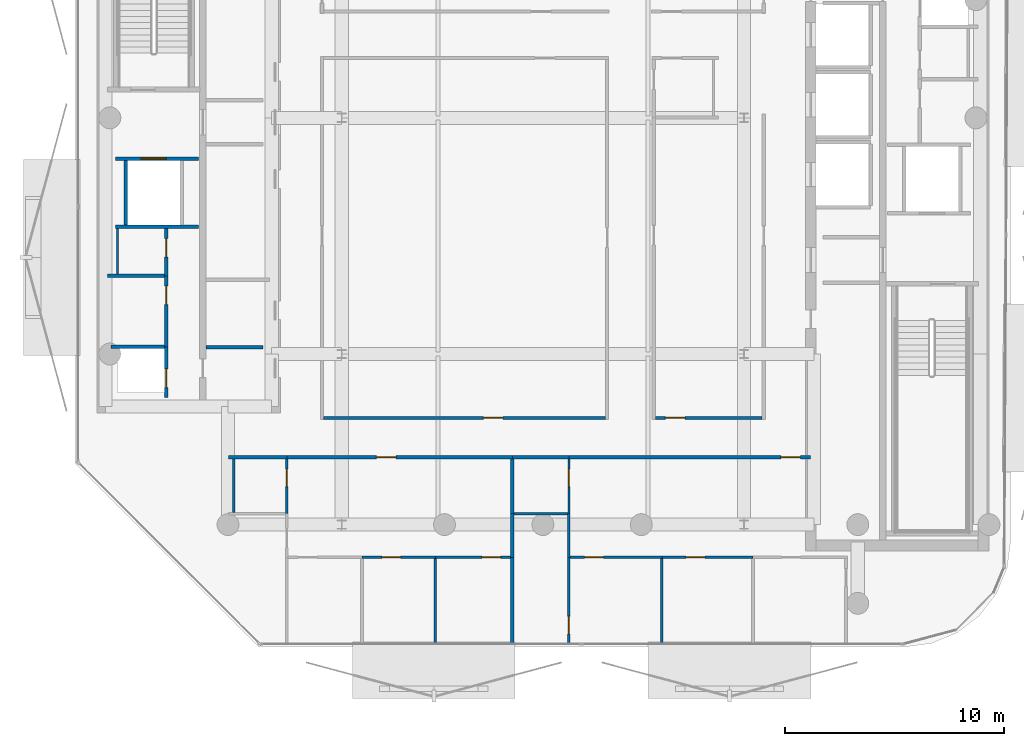
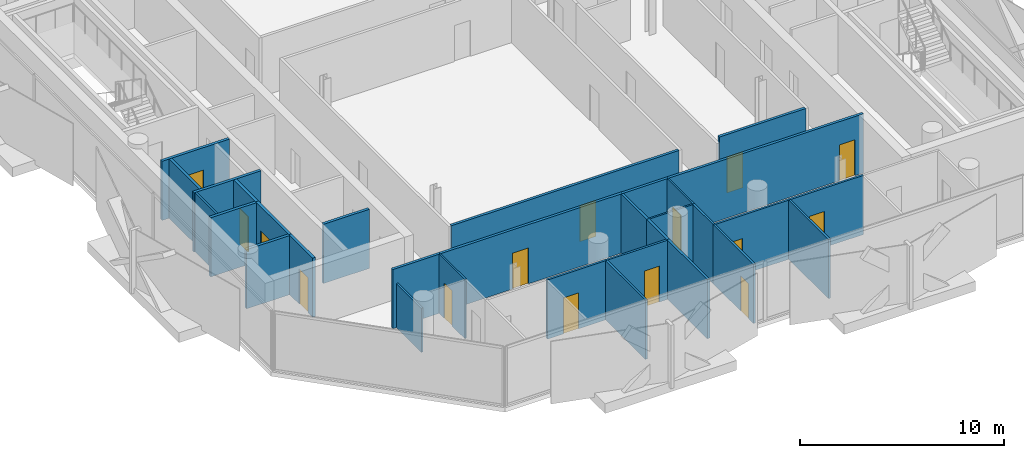
# One storey, part 4 of 17: 31 walls, 15 doors, 15 openings.
"""IFC4 building model written with IfcOpenShell, lengths in metres."""

from ifc_helpers import new_model, si_unit, direction, frame, frame_2d, origin, place, context, subcontext, project, spatial, rectangle, extrude, material, layer, layer_set, type_object, element, fill, save


model = new_model("IFC4")

# Units and contexts
model_context = context("Model", 3, precision=1e-05, world=origin(), true_north=direction((0.0, 1.0)))
body_context = subcontext(model_context, "Body", "Model", "MODEL_VIEW")
ifc_project = project(units=[si_unit("LENGTHUNIT", "METRE"), si_unit("AREAUNIT", "SQUARE_METRE"), si_unit("VOLUMEUNIT", "CUBIC_METRE"), si_unit("PLANEANGLEUNIT", "RADIAN"), si_unit("MASSUNIT", "GRAM", prefix="KILO")], contexts=[model_context])

# Site, building, storey
site_placement = place(None, origin())
site = spatial("IfcSite", under=ifc_project, at=site_placement, CompositionType="ELEMENT")
building_placement = place(site_placement, origin())
building = spatial("IfcBuilding", under=site, at=building_placement, Name="Khairoan Windgate Tower", CompositionType="ELEMENT")
storey_placement = place(building_placement, frame((0.0, 0.0, 304.199951171875)))
storey = spatial("IfcBuildingStorey", under=building, at=storey_placement, Name="L73", CompositionType="ELEMENT", Elevation=304.199951171875)

# Wall, opening, door
ifc_material_1 = material(Name="Moisture-Resistant Gypsum Partition", Category="gypsum")
ifc_layer_1 = layer(ifc_material_1, 0.10009765625, Name="Moisture-Resistant Gypsum Partition")
ifc_layer_set_1 = layer_set([ifc_layer_1], Name="Moisture-Resistant Gypsum Partition")
wall_type_1 = type_object("IfcWallType", Name="Bathroom Wet-Area Partition Wall", PredefinedType="PARTITIONING", material=ifc_layer_set_1)
wall_1_placement = place(storey_placement, frame((-11.7099609375, -18.10009765625, 0.0), z_axis=(0.0, 0.0, 1.0), x_axis=(0.0, 1.0, 0.0)))
wall_1 = element("IfcWall", 1, at=wall_1_placement, inside=storey, type_object=wall_type_1, Name="L73 Interior Partition 061", PredefinedType="PARTITIONING", context=body_context, shape_type="SweptSolid", body=[
    extrude(rectangle(XDim=2.5, YDim=0.10009765625, at=frame_2d((1.25, 0.0))), origin(), (0.0, 0.0, 1.0), 3.5400390625),
])
opening_1_placement = place(wall_1_placement, frame((1.239990234375, 0.0, 0.0)))
opening_1 = element("IfcOpeningElement", 2, at=opening_1_placement, cuts=wall_1, Name="Opening ID-BTH", PredefinedType="OPENING", context=body_context, shape_type="SweptSolid", body=[
    extrude(rectangle(XDim=0.800048828125, YDim=2.10009765625, at=frame_2d((0.39990234375, 1.050048828125))), frame((0.0, 0.06005859375, 0.0), z_axis=(0.0, -1.0, 0.0), x_axis=(1.0, 0.0, 0.0)), (0.0, 0.0, 1.0), 0.1201171875),
])
ifc_material_2 = material(Name="Teak Veneer Timber Leaf", Category="wood")
door_type_1 = type_object("IfcDoorType", Name="Internal Bathroom Door ID-BTH 800x2100", OperationType="NOTDEFINED", PredefinedType="DOOR", material=ifc_material_2)
door_1_placement = place(opening_1_placement, origin())
door_1 = element("IfcDoor", 3, at=door_1_placement, inside=storey, type_object=door_type_1, Name="L73 L73-46-L73-48 Door", OperationType="SINGLE_SWING_LEFT", OverallHeight=2.10009765625, OverallWidth=0.800048828125, PredefinedType="DOOR", context=body_context, shape_type="SweptSolid", body=[
    extrude(rectangle(XDim=0.800048828125, YDim=2.10009765625, at=frame_2d((0.39990234375, 1.050048828125))), frame((0.0, 0.02490234375, 0.0), z_axis=(0.0, -1.0, 0.0), x_axis=(1.0, 0.0, 0.0)), (0.0, 0.0, 1.0), 0.050048828125),
])
fill(opening_1, door_1)

# Wall
wall_2_placement = place(storey_placement, frame((-1.330078125, -18.10009765625, 0.0), z_axis=(0.0, 0.0, 1.0), x_axis=(1.0, 0.0, 0.0)))
element("IfcWall", 4, at=wall_2_placement, inside=storey, type_object=wall_type_1, Name="L73 Interior Partition 072", PredefinedType="PARTITIONING", context=body_context, shape_type="SweptSolid", body=[
    extrude(rectangle(XDim=2.469970703125, YDim=0.10009765625, at=frame_2d((1.23486328125, 0.0))), origin(), (0.0, 0.0, 1.0), 3.5400390625),
])

# Wall, opening, door
wall_3_placement = place(storey_placement, frame((1.18994140625, -18.10009765625, 0.0), z_axis=(0.0, 0.0, 1.0), x_axis=(0.0, 1.0, 0.0)))
wall_3 = element("IfcWall", 5, at=wall_3_placement, inside=storey, type_object=wall_type_1, Name="L73 Interior Partition 073", PredefinedType="PARTITIONING", context=body_context, shape_type="SweptSolid", body=[
    extrude(rectangle(XDim=2.5, YDim=0.10009765625, at=frame_2d((1.25, 0.0))), origin(), (0.0, 0.0, 1.0), 3.5400390625),
])
opening_2_placement = place(wall_3_placement, frame((1.239990234375, 0.0, 0.0)))
opening_2 = element("IfcOpeningElement", 6, at=opening_2_placement, cuts=wall_3, Name="Opening ID-BTH", PredefinedType="OPENING", context=body_context, shape_type="SweptSolid", body=[
    extrude(rectangle(XDim=0.800048828125, YDim=2.10009765625, at=frame_2d((0.39990234375, 1.050048828125))), frame((0.0, 0.06005859375, 0.0), z_axis=(0.0, -1.0, 0.0), x_axis=(1.0, 0.0, 0.0)), (0.0, 0.0, 1.0), 0.1201171875),
])
door_2_placement = place(opening_2_placement, origin())
door_2 = element("IfcDoor", 7, at=door_2_placement, inside=storey, type_object=door_type_1, Name="L73 L73-52-L73-54 Door", OperationType="SINGLE_SWING_RIGHT", OverallHeight=2.10009765625, OverallWidth=0.800048828125, PredefinedType="DOOR", context=body_context, shape_type="SweptSolid", body=[
    extrude(rectangle(XDim=0.800048828125, YDim=2.10009765625, at=frame_2d((0.39990234375, 1.050048828125))), frame((0.0, 0.02490234375, 0.0), z_axis=(0.0, -1.0, 0.0), x_axis=(1.0, 0.0, 0.0)), (0.0, 0.0, 1.0), 0.050048828125),
])
fill(opening_2, door_2)

# Walls
wall_4_placement = place(storey_placement, frame((-19.449951171875, -7.14990234375, 0.0), z_axis=(0.0, 0.0, 1.0), x_axis=(0.0, 1.0, 0.0)))
element("IfcWall", 8, at=wall_4_placement, inside=storey, type_object=wall_type_1, Name="L73 Wet Room Side Wall 083", PredefinedType="PARTITIONING", context=body_context, shape_type="SweptSolid", body=[
    extrude(rectangle(XDim=2.08984375, YDim=0.10009765625, at=frame_2d((1.044921875, 0.0))), origin(), (0.0, 0.0, 1.0), 3.5400390625),
])
wall_5_placement = place(storey_placement, frame((-14.139892578125, -18.050048828125, 0.0), z_axis=(0.0, 0.0, 1.0), x_axis=(0.0, 1.0, 0.0)))
element("IfcWall", 9, at=wall_5_placement, inside=storey, type_object=wall_type_1, Name="L73 Wet Room Side Wall 086", PredefinedType="PARTITIONING", context=body_context, shape_type="SweptSolid", body=[
    extrude(rectangle(XDim=2.449951171875, YDim=0.10009765625, at=frame_2d((1.22509765625, 0.0))), origin(), (0.0, 0.0, 1.0), 2.64013671875),
])

# Wall, opening, door
ifc_material_3 = material(Name="Concrete C40/50", Category="concrete")
ifc_layer_2 = layer(ifc_material_3, 0.159912109375, Name="Concrete C40/50")
ifc_layer_set_2 = layer_set([ifc_layer_2], Name="Concrete C40/50")
wall_type_2 = type_object("IfcWallType", Name="Core and Hoistway Enclosure Wall", PredefinedType="STANDARD", material=ifc_layer_set_2)
wall_6_placement = place(storey_placement, frame((-19.550048828125, -1.860107421875, 0.0), z_axis=(0.0, 0.0, 1.0), x_axis=(1.0, 0.0, 0.0)))
wall_6 = element("IfcWall", 10, at=wall_6_placement, inside=storey, type_object=wall_type_2, Name="L73 Core Shaft Wall SW-FL2-L73", PredefinedType="STANDARD", context=body_context, shape_type="SweptSolid", body=[
    extrude(rectangle(XDim=3.800048828125, YDim=0.159912109375, at=frame_2d((1.89990234375, 0.0))), origin(), (0.0, 0.0, 1.0), 3.5400390625),
])
opening_3_placement = place(wall_6_placement, frame((1.179931640625, 0.0, 0.0)))
opening_3 = element("IfcOpeningElement", 11, at=opening_3_placement, cuts=wall_6, Name="Opening LD-FL", PredefinedType="OPENING", context=body_context, shape_type="SweptSolid", body=[
    extrude(rectangle(XDim=1.14990234375, YDim=2.199951171875, at=frame_2d((0.574951171875, 1.10009765625))), frame((0.0, 0.08984375, 0.0), z_axis=(0.0, -1.0, 0.0), x_axis=(1.0, 0.0, 0.0)), (0.0, 0.0, 1.0), 0.179931640625),
])
ifc_material_4 = material(Name="Steel S355", Category="steel")
door_type_2 = type_object("IfcDoorType", Name="Firefighting Lift Sliding Landing Door LD-FL 1150x2200", OperationType="DOUBLE_DOOR_SLIDING", PredefinedType="DOOR", material=ifc_material_4)
door_3_placement = place(opening_3_placement, origin())
door_3 = element("IfcDoor", 12, at=door_3_placement, inside=storey, type_object=door_type_2, Name="L73 Firefighting Lift FL2 Landing Door", OperationType="DOUBLE_DOOR_SLIDING", OverallHeight=2.199951171875, OverallWidth=1.14990234375, PredefinedType="DOOR", context=body_context, shape_type="SweptSolid", body=[
    extrude(rectangle(XDim=1.14990234375, YDim=2.199951171875, at=frame_2d((0.574951171875, 1.10009765625))), frame((0.0, 0.02490234375, 0.0), z_axis=(0.0, -1.0, 0.0), x_axis=(1.0, 0.0, 0.0)), (0.0, 0.0, 1.0), 0.050048828125),
])
fill(opening_3, door_3)

# Walls
wall_7_placement = place(storey_placement, frame((-19.550048828125, -4.97998046875, 0.0), z_axis=(0.0, 0.0, 1.0), x_axis=(1.0, 0.0, 0.0)))
element("IfcWall", 13, at=wall_7_placement, inside=storey, type_object=wall_type_2, Name="L73 Core Shaft Wall SW-FL2B-L73", PredefinedType="STANDARD", context=body_context, shape_type="SweptSolid", body=[
    extrude(rectangle(XDim=3.800048828125, YDim=0.159912109375, at=frame_2d((1.89990234375, 0.0))), origin(), (0.0, 0.0, 1.0), 3.5400390625),
])
wall_8_placement = place(storey_placement, frame((-19.080078125, -4.89990234375, 0.0), z_axis=(0.0, 0.0, 1.0), x_axis=(0.0, 1.0, 0.0)))
element("IfcWall", 14, at=wall_8_placement, inside=storey, type_object=wall_type_2, Name="L73 Core Shaft Wall SW-FL2W-L73", PredefinedType="STANDARD", context=body_context, shape_type="SweptSolid", body=[
    extrude(rectangle(XDim=2.9599609375, YDim=0.159912109375, at=frame_2d((1.47998046875, 0.0))), origin(), (0.0, 0.0, 1.0), 3.5400390625),
])
wall_9_placement = place(storey_placement, frame((-15.39990234375, -10.47998046875, 0.0), z_axis=(0.0, 0.0, 1.0), x_axis=(1.0, 0.0, 0.0)))
element("IfcWall", 15, at=wall_9_placement, inside=storey, type_object=wall_type_2, Name="L73 Core Shaft Wall SW-WSV-L73", PredefinedType="STANDARD", context=body_context, shape_type="SweptSolid", body=[
    extrude(rectangle(XDim=2.599853515625, YDim=0.159912109375, at=frame_2d((1.2998046875, 0.0))), origin(), (0.0, 0.0, 1.0), 3.5400390625),
])
ifc_material_5 = material(Name="Acoustic Fire-Rated Gypsum Partition", Category="gypsum")
ifc_layer_3 = layer(ifc_material_5, 0.139892578125, Name="Acoustic Fire-Rated Gypsum Partition")
ifc_layer_set_3 = layer_set([ifc_layer_3], Name="Acoustic Fire-Rated Gypsum Partition")
wall_type_3 = type_object("IfcWallType", Name="Inter-Tenancy Compartment Wall", PredefinedType="PARTITIONING", material=ifc_layer_set_3)
wall_10_placement = place(storey_placement, frame((-1.39990234375, -18.10009765625, 0.0), z_axis=(0.0, 0.0, 1.0), x_axis=(0.0, 1.0, 0.0)))
element("IfcWall", 16, at=wall_10_placement, inside=storey, type_object=wall_type_3, Name="L73 Interior Partition 067", PredefinedType="PARTITIONING", context=body_context, shape_type="SweptSolid", body=[
    extrude(rectangle(XDim=2.5, YDim=0.139892578125, at=frame_2d((1.25, 0.0))), origin(), (0.0, 0.0, 1.0), 3.5400390625),
])
wall_11_placement = place(storey_placement, frame((-1.39990234375, -20.10009765625, 0.0), z_axis=(0.0, 0.0, 1.0), x_axis=(0.0, 1.0, 0.0)))
element("IfcWall", 17, at=wall_11_placement, inside=storey, type_object=wall_type_3, Name="L73 Interior Partition 068", PredefinedType="PARTITIONING", context=body_context, shape_type="SweptSolid", body=[
    extrude(rectangle(XDim=2.0, YDim=0.139892578125, at=frame_2d((1.0, 0.0))), origin(), (0.0, 0.0, 1.0), 3.5400390625),
])
wall_12_placement = place(storey_placement, frame((-1.39990234375, -24.054931640625, 0.0), z_axis=(0.0, 0.0, 1.0), x_axis=(0.0, 1.0, 0.0)))
element("IfcWall", 18, at=wall_12_placement, inside=storey, type_object=wall_type_3, Name="L73 Interior Partition 071", PredefinedType="PARTITIONING", context=body_context, shape_type="SweptSolid", body=[
    extrude(rectangle(XDim=3.954833984375, YDim=0.139892578125, at=frame_2d((1.9775390625, 0.0))), origin(), (0.0, 0.0, 1.0), 3.5400390625),
])

# Wall, opening, door
ifc_material_6 = material(Name="Gypsum Stud Partition", Category="gypsum")
ifc_layer_4 = layer(ifc_material_6, 0.1201171875, Name="Gypsum Stud Partition")
ifc_layer_set_4 = layer_set([ifc_layer_4], Name="Gypsum Stud Partition")
wall_type_4 = type_object("IfcWallType", Name="Internal Room Partition Wall", PredefinedType="PARTITIONING", material=ifc_layer_set_4)
wall_13_placement = place(storey_placement, frame((-8.27294921875, -20.10009765625, 0.0), z_axis=(0.0, 0.0, 1.0), x_axis=(1.0, 0.0, 0.0)))
wall_13 = element("IfcWall", 19, at=wall_13_placement, inside=storey, type_object=wall_type_4, Name="L73 Interior Partition 065", PredefinedType="PARTITIONING", context=body_context, shape_type="SweptSolid", body=[
    extrude(rectangle(XDim=3.35595703125, YDim=0.1201171875, at=frame_2d((1.677978515625, 0.0))), origin(), (0.0, 0.0, 1.0), 3.5400390625),
])
opening_4_placement = place(wall_13_placement, frame((0.910400390625, 0.0, 0.0)))
opening_4 = element("IfcOpeningElement", 20, at=opening_4_placement, cuts=wall_13, Name="Opening ID-RM", PredefinedType="OPENING", context=body_context, shape_type="SweptSolid", body=[
    extrude(rectangle(XDim=0.860107421875, YDim=2.14990234375, at=frame_2d((0.43017578125, 1.074951171875))), frame((0.0, 0.070068359375, 0.0), z_axis=(0.0, -1.0, 0.0), x_axis=(1.0, 0.0, 0.0)), (0.0, 0.0, 1.0), 0.14013671875),
])
ifc_material_7 = material(Name="Teak Veneer Timber Leaf", Category="wood")
door_type_3 = type_object("IfcDoorType", Name="Internal Bedroom and Office Door ID-RM 860x2150", OperationType="NOTDEFINED", PredefinedType="DOOR", material=ifc_material_7)
door_4_placement = place(opening_4_placement, origin())
door_4 = element("IfcDoor", 21, at=door_4_placement, inside=storey, type_object=door_type_3, Name="L73 L73-48-L73-50 Door", OperationType="SINGLE_SWING_RIGHT", OverallHeight=2.14990234375, OverallWidth=0.860107421875, PredefinedType="DOOR", context=body_context, shape_type="SweptSolid", body=[
    extrude(rectangle(XDim=0.860107421875, YDim=2.14990234375, at=frame_2d((0.43017578125, 1.074951171875))), frame((0.0, 0.02490234375, 0.0), z_axis=(0.0, -1.0, 0.0), x_axis=(1.0, 0.0, 0.0)), (0.0, 0.0, 1.0), 0.050048828125),
])
fill(opening_4, door_4)

wall_14_placement = place(storey_placement, frame((-4.9169921875, -20.10009765625, 0.0), z_axis=(0.0, 0.0, 1.0), x_axis=(1.0, 0.0, 0.0)))
wall_14 = element("IfcWall", 22, at=wall_14_placement, inside=storey, type_object=wall_type_4, Name="L73 Interior Partition 066", PredefinedType="PARTITIONING", context=body_context, shape_type="SweptSolid", body=[
    extrude(rectangle(XDim=3.447021484375, YDim=0.1201171875, at=frame_2d((1.7236328125, 0.0))), origin(), (0.0, 0.0, 1.0), 3.5400390625),
])
opening_5_placement = place(wall_14_placement, frame((2.126953125, 0.0, 0.0)))
opening_5 = element("IfcOpeningElement", 23, at=opening_5_placement, cuts=wall_14, Name="Opening ID-RM", PredefinedType="OPENING", context=body_context, shape_type="SweptSolid", body=[
    extrude(rectangle(XDim=0.860107421875, YDim=2.14990234375, at=frame_2d((0.43017578125, 1.074951171875))), frame((0.0, 0.070068359375, 0.0), z_axis=(0.0, -1.0, 0.0), x_axis=(1.0, 0.0, 0.0)), (0.0, 0.0, 1.0), 0.14013671875),
])
door_5_placement = place(opening_5_placement, origin())
door_5 = element("IfcDoor", 24, at=door_5_placement, inside=storey, type_object=door_type_3, Name="L73 L73-48-L73-51 Door", OperationType="SINGLE_SWING_LEFT", OverallHeight=2.14990234375, OverallWidth=0.860107421875, PredefinedType="DOOR", context=body_context, shape_type="SweptSolid", body=[
    extrude(rectangle(XDim=0.860107421875, YDim=2.14990234375, at=frame_2d((0.43017578125, 1.074951171875))), frame((0.0, 0.02490234375, 0.0), z_axis=(0.0, -1.0, 0.0), x_axis=(1.0, 0.0, 0.0)), (0.0, 0.0, 1.0), 0.050048828125),
])
fill(opening_5, door_5)

# Walls
wall_15_placement = place(storey_placement, frame((-4.9169921875, -24.054931640625, 0.0), z_axis=(0.0, 0.0, 1.0), x_axis=(0.0, 1.0, 0.0)))
element("IfcWall", 25, at=wall_15_placement, inside=storey, type_object=wall_type_4, Name="L73 Interior Partition 070", PredefinedType="PARTITIONING", context=body_context, shape_type="SweptSolid", body=[
    extrude(rectangle(XDim=3.89501953125, YDim=0.1201171875, at=frame_2d((1.947509765625, 0.0))), origin(), (0.0, 0.0, 1.0), 3.5400390625),
])
wall_16_placement = place(storey_placement, frame((1.18994140625, -20.10009765625, 0.0), z_axis=(0.0, 0.0, 1.0), x_axis=(0.0, 1.0, 0.0)))
element("IfcWall", 26, at=wall_16_placement, inside=storey, type_object=wall_type_4, Name="L73 Interior Partition 074", PredefinedType="PARTITIONING", context=body_context, shape_type="SweptSolid", body=[
    extrude(rectangle(XDim=2.0, YDim=0.1201171875, at=frame_2d((1.0, 0.0))), origin(), (0.0, 0.0, 1.0), 3.5400390625),
])

# Wall, opening, door
wall_17_placement = place(storey_placement, frame((1.18994140625, -24.054931640625, 0.0), z_axis=(0.0, 0.0, 1.0), x_axis=(0.0, 1.0, 0.0)))
wall_17 = element("IfcWall", 27, at=wall_17_placement, inside=storey, type_object=wall_type_4, Name="L73 Interior Partition 075", PredefinedType="PARTITIONING", context=body_context, shape_type="SweptSolid", body=[
    extrude(rectangle(XDim=3.954833984375, YDim=0.1201171875, at=frame_2d((1.9775390625, 0.0))), origin(), (0.0, 0.0, 1.0), 3.5400390625),
])
opening_6_placement = place(wall_17_placement, frame((0.4599609375, 0.0, 0.0)))
opening_6 = element("IfcOpeningElement", 28, at=opening_6_placement, cuts=wall_17, Name="Opening ID-BTH", PredefinedType="OPENING", context=body_context, shape_type="SweptSolid", body=[
    extrude(rectangle(XDim=0.800048828125, YDim=2.10009765625, at=frame_2d((0.39990234375, 1.050048828125))), frame((0.0, 0.070068359375, 0.0), z_axis=(0.0, -1.0, 0.0), x_axis=(1.0, 0.0, 0.0)), (0.0, 0.0, 1.0), 0.14013671875),
])
door_6_placement = place(opening_6_placement, origin())
door_6 = element("IfcDoor", 29, at=door_6_placement, inside=storey, type_object=door_type_1, Name="L73 L73-53-L73-56 Door", OperationType="SINGLE_SWING_RIGHT", OverallHeight=2.10009765625, OverallWidth=0.800048828125, PredefinedType="DOOR", context=body_context, shape_type="SweptSolid", body=[
    extrude(rectangle(XDim=0.800048828125, YDim=2.10009765625, at=frame_2d((0.39990234375, 1.050048828125))), frame((0.0, 0.02490234375, 0.0), z_axis=(0.0, -1.0, 0.0), x_axis=(1.0, 0.0, 0.0)), (0.0, 0.0, 1.0), 0.050048828125),
])
fill(opening_6, door_6)

wall_18_placement = place(storey_placement, frame((1.25, -20.10009765625, 0.0), z_axis=(0.0, 0.0, 1.0), x_axis=(1.0, 0.0, 0.0)))
wall_18 = element("IfcWall", 30, at=wall_18_placement, inside=storey, type_object=wall_type_4, Name="L73 Interior Partition 076", PredefinedType="PARTITIONING", context=body_context, shape_type="SweptSolid", body=[
    extrude(rectangle(XDim=4.18994140625, YDim=0.1201171875, at=frame_2d((2.094970703125, 0.0))), origin(), (0.0, 0.0, 1.0), 3.5400390625),
])
opening_7_placement = place(wall_18_placement, frame((0.660888671875, 0.0, 0.0)))
opening_7 = element("IfcOpeningElement", 31, at=opening_7_placement, cuts=wall_18, Name="Opening ID-RM", PredefinedType="OPENING", context=body_context, shape_type="SweptSolid", body=[
    extrude(rectangle(XDim=0.860107421875, YDim=2.14990234375, at=frame_2d((0.43017578125, 1.074951171875))), frame((0.0, 0.070068359375, 0.0), z_axis=(0.0, -1.0, 0.0), x_axis=(1.0, 0.0, 0.0)), (0.0, 0.0, 1.0), 0.14013671875),
])
door_7_placement = place(opening_7_placement, origin())
door_7 = element("IfcDoor", 32, at=door_7_placement, inside=storey, type_object=door_type_3, Name="L73 L73-54-L73-56 Door", OperationType="SINGLE_SWING_RIGHT", OverallHeight=2.14990234375, OverallWidth=0.860107421875, PredefinedType="DOOR", context=body_context, shape_type="SweptSolid", body=[
    extrude(rectangle(XDim=0.860107421875, YDim=2.14990234375, at=frame_2d((0.43017578125, 1.074951171875))), frame((0.0, 0.02490234375, 0.0), z_axis=(0.0, -1.0, 0.0), x_axis=(1.0, 0.0, 0.0)), (0.0, 0.0, 1.0), 0.050048828125),
])
fill(opening_7, door_7)

wall_19_placement = place(storey_placement, frame((5.43994140625, -20.10009765625, 0.0), z_axis=(0.0, 0.0, 1.0), x_axis=(1.0, 0.0, 0.0)))
wall_19 = element("IfcWall", 33, at=wall_19_placement, inside=storey, type_object=wall_type_4, Name="L73 Interior Partition 077", PredefinedType="PARTITIONING", context=body_context, shape_type="SweptSolid", body=[
    extrude(rectangle(XDim=4.170166015625, YDim=0.1201171875, at=frame_2d((2.0849609375, 0.0))), origin(), (0.0, 0.0, 1.0), 3.5400390625),
])
opening_8_placement = place(wall_19_placement, frame((1.11181640625, 0.0, 0.0)))
opening_8 = element("IfcOpeningElement", 34, at=opening_8_placement, cuts=wall_19, Name="Opening ID-RM", PredefinedType="OPENING", context=body_context, shape_type="SweptSolid", body=[
    extrude(rectangle(XDim=0.860107421875, YDim=2.14990234375, at=frame_2d((0.43017578125, 1.074951171875))), frame((0.0, 0.070068359375, 0.0), z_axis=(0.0, -1.0, 0.0), x_axis=(1.0, 0.0, 0.0)), (0.0, 0.0, 1.0), 0.14013671875),
])
door_8_placement = place(opening_8_placement, origin())
door_8 = element("IfcDoor", 35, at=door_8_placement, inside=storey, type_object=door_type_3, Name="L73 L73-54-L73-57 Door", OperationType="SINGLE_SWING_LEFT", OverallHeight=2.14990234375, OverallWidth=0.860107421875, PredefinedType="DOOR", context=body_context, shape_type="SweptSolid", body=[
    extrude(rectangle(XDim=0.860107421875, YDim=2.14990234375, at=frame_2d((0.43017578125, 1.074951171875))), frame((0.0, 0.02490234375, 0.0), z_axis=(0.0, -1.0, 0.0), x_axis=(1.0, 0.0, 0.0)), (0.0, 0.0, 1.0), 0.050048828125),
])
fill(opening_8, door_8)

# Wall
wall_20_placement = place(storey_placement, frame((5.43994140625, -24.054931640625, 0.0), z_axis=(0.0, 0.0, 1.0), x_axis=(0.0, 1.0, 0.0)))
element("IfcWall", 36, at=wall_20_placement, inside=storey, type_object=wall_type_4, Name="L73 Interior Partition 080", PredefinedType="PARTITIONING", context=body_context, shape_type="SweptSolid", body=[
    extrude(rectangle(XDim=3.89501953125, YDim=0.1201171875, at=frame_2d((1.947509765625, 0.0))), origin(), (0.0, 0.0, 1.0), 3.5400390625),
])

# Wall, opening, door
ifc_material_8 = material(Name="Concrete C40/50", Category="concrete")
ifc_layer_5 = layer(ifc_material_8, 0.159912109375, Name="Concrete C40/50")
ifc_layer_set_5 = layer_set([ifc_layer_5], Name="Concrete C40/50")
wall_type_5 = type_object("IfcWallType", Name="Plant and Refuge Compartment Wall", PredefinedType="PARTITIONING", material=ifc_layer_set_5)
wall_21_placement = place(storey_placement, frame((-17.22998046875, -12.7900390625, 0.0), z_axis=(0.0, 0.0, 1.0), x_axis=(0.0, 1.0, 0.0)))
wall_21 = element("IfcWall", 37, at=wall_21_placement, inside=storey, type_object=wall_type_5, Name="L73 Interior Partition 001", PredefinedType="PARTITIONING", context=body_context, shape_type="SweptSolid", body=[
    extrude(rectangle(XDim=2.320068359375, YDim=0.159912109375, at=frame_2d((1.16015625, 0.0))), origin(), (0.0, 0.0, 1.0), 3.5400390625),
])
opening_9_placement = place(wall_21_placement, frame((0.4599609375, 0.0, 0.0)))
opening_9 = element("IfcOpeningElement", 38, at=opening_9_placement, cuts=wall_21, Name="Opening FD-SRV", PredefinedType="OPENING", context=body_context, shape_type="SweptSolid", body=[
    extrude(rectangle(XDim=0.85009765625, YDim=2.10009765625, at=frame_2d((0.425048828125, 1.050048828125))), frame((0.0, 0.08984375, 0.0), z_axis=(0.0, -1.0, 0.0), x_axis=(1.0, 0.0, 0.0)), (0.0, 0.0, 1.0), 0.179931640625),
])
ifc_material_9 = material(Name="Steel S355", Category="steel")
door_type_4 = type_object("IfcDoorType", Name="Core Service and Riser Fire Door FD-SRV 850x2100", OperationType="NOTDEFINED", PredefinedType="DOOR", material=ifc_material_9)
door_9_placement = place(opening_9_placement, origin())
door_9 = element("IfcDoor", 39, at=door_9_placement, inside=storey, type_object=door_type_4, Name="L73 L73-04-L73-05 Door", OperationType="SINGLE_SWING_RIGHT", OverallHeight=2.10009765625, OverallWidth=0.85009765625, PredefinedType="DOOR", context=body_context, shape_type="SweptSolid", body=[
    extrude(rectangle(XDim=0.85009765625, YDim=2.10009765625, at=frame_2d((0.425048828125, 1.050048828125))), frame((0.0, 0.02490234375, 0.0), z_axis=(0.0, -1.0, 0.0), x_axis=(1.0, 0.0, 0.0)), (0.0, 0.0, 1.0), 0.050048828125),
])
fill(opening_9, door_9)

wall_22_placement = place(storey_placement, frame((-17.22998046875, -7.22998046875, 0.0), z_axis=(0.0, 0.0, 1.0), x_axis=(0.0, 1.0, 0.0)))
wall_22 = element("IfcWall", 40, at=wall_22_placement, inside=storey, type_object=wall_type_5, Name="L73 Interior Partition 002", PredefinedType="PARTITIONING", context=body_context, shape_type="SweptSolid", body=[
    extrude(rectangle(XDim=2.169921875, YDim=0.159912109375, at=frame_2d((1.0849609375, 0.0))), origin(), (0.0, 0.0, 1.0), 3.5400390625),
])
opening_10_placement = place(wall_22_placement, frame((0.860107421875, 0.0, 0.0)))
opening_10 = element("IfcOpeningElement", 41, at=opening_10_placement, cuts=wall_22, Name="Opening FD-SRV", PredefinedType="OPENING", context=body_context, shape_type="SweptSolid", body=[
    extrude(rectangle(XDim=0.85009765625, YDim=2.10009765625, at=frame_2d((0.425048828125, 1.050048828125))), frame((0.0, 0.08984375, 0.0), z_axis=(0.0, -1.0, 0.0), x_axis=(1.0, 0.0, 0.0)), (0.0, 0.0, 1.0), 0.179931640625),
])
door_10_placement = place(opening_10_placement, origin())
door_10 = element("IfcDoor", 42, at=door_10_placement, inside=storey, type_object=door_type_4, Name="L73 L73-04-L73-06 Door", OperationType="SINGLE_SWING_LEFT", OverallHeight=2.10009765625, OverallWidth=0.85009765625, PredefinedType="DOOR", context=body_context, shape_type="SweptSolid", body=[
    extrude(rectangle(XDim=0.85009765625, YDim=2.10009765625, at=frame_2d((0.425048828125, 1.050048828125))), frame((0.0, 0.02490234375, 0.0), z_axis=(0.0, -1.0, 0.0), x_axis=(1.0, 0.0, 0.0)), (0.0, 0.0, 1.0), 0.050048828125),
])
fill(opening_10, door_10)

wall_23_placement = place(storey_placement, frame((-17.22998046875, -10.469970703125, 0.0), z_axis=(0.0, 0.0, 1.0), x_axis=(0.0, 1.0, 0.0)))
wall_23 = element("IfcWall", 43, at=wall_23_placement, inside=storey, type_object=wall_type_5, Name="L73 Interior Partition 003", PredefinedType="PARTITIONING", context=body_context, shape_type="SweptSolid", body=[
    extrude(rectangle(XDim=3.239990234375, YDim=0.159912109375, at=frame_2d((1.6201171875, 0.0))), origin(), (0.0, 0.0, 1.0), 3.5400390625),
])
opening_11_placement = place(wall_23_placement, frame((1.929931640625, 0.0, 0.0)))
opening_11 = element("IfcOpeningElement", 44, at=opening_11_placement, cuts=wall_23, Name="Opening FD-SRV", PredefinedType="OPENING", context=body_context, shape_type="SweptSolid", body=[
    extrude(rectangle(XDim=0.85009765625, YDim=2.10009765625, at=frame_2d((0.425048828125, 1.050048828125))), frame((0.0, 0.08984375, 0.0), z_axis=(0.0, -1.0, 0.0), x_axis=(1.0, 0.0, 0.0)), (0.0, 0.0, 1.0), 0.179931640625),
])
door_11_placement = place(opening_11_placement, origin())
door_11 = element("IfcDoor", 45, at=door_11_placement, inside=storey, type_object=door_type_4, Name="L73 L73-04-L73-07 Door", OperationType="SINGLE_SWING_RIGHT", OverallHeight=2.10009765625, OverallWidth=0.85009765625, PredefinedType="DOOR", context=body_context, shape_type="SweptSolid", body=[
    extrude(rectangle(XDim=0.85009765625, YDim=2.10009765625, at=frame_2d((0.425048828125, 1.050048828125))), frame((0.0, 0.02490234375, 0.0), z_axis=(0.0, -1.0, 0.0), x_axis=(1.0, 0.0, 0.0)), (0.0, 0.0, 1.0), 0.050048828125),
])
fill(opening_11, door_11)

# Walls
wall_24_placement = place(storey_placement, frame((-19.75, -10.469970703125, 0.0), z_axis=(0.0, 0.0, 1.0), x_axis=(1.0, 0.0, 0.0)))
element("IfcWall", 46, at=wall_24_placement, inside=storey, type_object=wall_type_5, Name="L73 Interior Partition 004", PredefinedType="PARTITIONING", context=body_context, shape_type="SweptSolid", body=[
    extrude(rectangle(XDim=2.43994140625, YDim=0.159912109375, at=frame_2d((1.219970703125, 0.0))), origin(), (0.0, 0.0, 1.0), 3.5400390625),
])
wall_25_placement = place(storey_placement, frame((-19.89990234375, -7.22998046875, 0.0), z_axis=(0.0, 0.0, 1.0), x_axis=(1.0, 0.0, 0.0)))
element("IfcWall", 47, at=wall_25_placement, inside=storey, type_object=wall_type_5, Name="L73 Interior Partition 005", PredefinedType="PARTITIONING", context=body_context, shape_type="SweptSolid", body=[
    extrude(rectangle(XDim=2.58984375, YDim=0.159912109375, at=frame_2d((1.294921875, 0.0))), origin(), (0.0, 0.0, 1.0), 3.5400390625),
])
ifc_material_10 = material(Name="Acoustic Fire-Rated Gypsum Partition", Category="gypsum")
ifc_layer_6 = layer(ifc_material_10, 0.14990234375, Name="Acoustic Fire-Rated Gypsum Partition")
ifc_layer_set_6 = layer_set([ifc_layer_6], Name="Acoustic Fire-Rated Gypsum Partition")
wall_type_6 = type_object("IfcWallType", Name="Rated Corridor Partition Wall", PredefinedType="PARTITIONING", material=ifc_layer_set_6)
wall_26_placement = place(storey_placement, frame((-14.3798828125, -15.52490234375, 0.0), z_axis=(0.0, 0.0, 1.0), x_axis=(1.0, 0.0, 0.0)))
element("IfcWall", 48, at=wall_26_placement, inside=storey, type_object=wall_type_6, Name="L73 Interior Partition 032", PredefinedType="PARTITIONING", context=body_context, shape_type="SweptSolid", body=[
    extrude(rectangle(XDim=2.669921875, YDim=0.14990234375, at=frame_2d((1.3349609375, 0.0))), origin(), (0.0, 0.0, 1.0), 3.5400390625),
])

# Wall, opening, door
wall_27_placement = place(storey_placement, frame((-11.7099609375, -15.52490234375, 0.0), z_axis=(0.0, 0.0, 1.0), x_axis=(1.0, 0.0, 0.0)))
wall_27 = element("IfcWall", 49, at=wall_27_placement, inside=storey, type_object=wall_type_6, Name="L73 Interior Partition 033", PredefinedType="PARTITIONING", context=body_context, shape_type="SweptSolid", body=[
    extrude(rectangle(XDim=10.31005859375, YDim=0.14990234375, at=frame_2d((5.155029296875, 0.0))), origin(), (0.0, 0.0, 1.0), 3.5400390625),
])
opening_12_placement = place(wall_27_placement, frame((4.0986328125, 0.0, 0.0)))
opening_12 = element("IfcOpeningElement", 50, at=opening_12_placement, cuts=wall_27, Name="Opening FD-ENT", PredefinedType="OPENING", context=body_context, shape_type="SweptSolid", body=[
    extrude(rectangle(XDim=0.89990234375, YDim=2.14990234375, at=frame_2d((0.449951171875, 1.074951171875))), frame((0.0, 0.0849609375, 0.0), z_axis=(0.0, -1.0, 0.0), x_axis=(1.0, 0.0, 0.0)), (0.0, 0.0, 1.0), 0.169921875),
])
ifc_material_11 = material(Name="Timber Fire-Rated Core", Category="wood")
door_type_5 = type_object("IfcDoorType", Name="Unit and Office Fire Entrance Door FD-ENT 900x2150", OperationType="NOTDEFINED", PredefinedType="DOOR", material=ifc_material_11)
door_12_placement = place(opening_12_placement, origin())
door_12 = element("IfcDoor", 51, at=door_12_placement, inside=storey, type_object=door_type_5, Name="L73 L73-32-L73-48 Door", OperationType="SINGLE_SWING_RIGHT", OverallHeight=2.14990234375, OverallWidth=0.89990234375, PredefinedType="DOOR", context=body_context, shape_type="SweptSolid", body=[
    extrude(rectangle(XDim=0.89990234375, YDim=2.14990234375, at=frame_2d((0.449951171875, 1.074951171875))), frame((0.0, 0.02490234375, 0.0), z_axis=(0.0, -1.0, 0.0), x_axis=(1.0, 0.0, 0.0)), (0.0, 0.0, 1.0), 0.050048828125),
])
fill(opening_12, door_12)

# Wall
wall_28_placement = place(storey_placement, frame((-1.39990234375, -15.52490234375, 0.0), z_axis=(0.0, 0.0, 1.0), x_axis=(1.0, 0.0, 0.0)))
element("IfcWall", 52, at=wall_28_placement, inside=storey, type_object=wall_type_6, Name="L73 Interior Partition 034", PredefinedType="PARTITIONING", context=body_context, shape_type="SweptSolid", body=[
    extrude(rectangle(XDim=2.58984375, YDim=0.14990234375, at=frame_2d((1.294921875, 0.0))), origin(), (0.0, 0.0, 1.0), 3.5400390625),
])

# Wall, opening, door
wall_29_placement = place(storey_placement, frame((1.18994140625, -15.52490234375, 0.0), z_axis=(0.0, 0.0, 1.0), x_axis=(1.0, 0.0, 0.0)))
wall_29 = element("IfcWall", 53, at=wall_29_placement, inside=storey, type_object=wall_type_6, Name="L73 Interior Partition 035", PredefinedType="PARTITIONING", context=body_context, shape_type="SweptSolid", body=[
    extrude(rectangle(XDim=11.050048828125, YDim=0.14990234375, at=frame_2d((5.52490234375, 0.0))), origin(), (0.0, 0.0, 1.0), 3.5400390625),
])
opening_13_placement = place(wall_29_placement, frame((9.68994140625, 0.0, 0.0)))
opening_13 = element("IfcOpeningElement", 54, at=opening_13_placement, cuts=wall_29, Name="Opening FD-ENT", PredefinedType="OPENING", context=body_context, shape_type="SweptSolid", body=[
    extrude(rectangle(XDim=0.89990234375, YDim=2.14990234375, at=frame_2d((0.449951171875, 1.074951171875))), frame((0.0, 0.0849609375, 0.0), z_axis=(0.0, -1.0, 0.0), x_axis=(1.0, 0.0, 0.0)), (0.0, 0.0, 1.0), 0.169921875),
])
door_13_placement = place(opening_13_placement, origin())
door_13 = element("IfcDoor", 55, at=door_13_placement, inside=storey, type_object=door_type_5, Name="L73 L73-32-L73-54 Door", OperationType="SINGLE_SWING_LEFT", OverallHeight=2.14990234375, OverallWidth=0.89990234375, PredefinedType="DOOR", context=body_context, shape_type="SweptSolid", body=[
    extrude(rectangle(XDim=0.89990234375, YDim=2.14990234375, at=frame_2d((0.449951171875, 1.074951171875))), frame((0.0, 0.02490234375, 0.0), z_axis=(0.0, -1.0, 0.0), x_axis=(1.0, 0.0, 0.0)), (0.0, 0.0, 1.0), 0.050048828125),
])
fill(opening_13, door_13)

wall_30_placement = place(storey_placement, frame((-10.02490234375, -13.719970703125, 0.0), z_axis=(0.0, 0.0, 1.0), x_axis=(1.0, 0.0, 0.0)))
wall_30 = element("IfcWall", 56, at=wall_30_placement, inside=storey, type_object=wall_type_6, Name="L73 Interior Partition 036", PredefinedType="PARTITIONING", context=body_context, shape_type="SweptSolid", body=[
    extrude(rectangle(XDim=12.885009765625, YDim=0.14990234375, at=frame_2d((6.4423828125, 0.0))), origin(), (0.0, 0.0, 1.0), 3.5400390625),
])
opening_14_placement = place(wall_30_placement, frame((7.30029296875, 0.0, 0.0)))
opening_14 = element("IfcOpeningElement", 57, at=opening_14_placement, cuts=wall_30, Name="Opening FD-ENT", PredefinedType="OPENING", context=body_context, shape_type="SweptSolid", body=[
    extrude(rectangle(XDim=0.89990234375, YDim=2.14990234375, at=frame_2d((0.449951171875, 1.074951171875))), frame((0.0, 0.0849609375, 0.0), z_axis=(0.0, -1.0, 0.0), x_axis=(1.0, 0.0, 0.0)), (0.0, 0.0, 1.0), 0.169921875),
])
door_14_placement = place(opening_14_placement, origin())
door_14 = element("IfcDoor", 58, at=door_14_placement, inside=storey, type_object=door_type_5, Name="L73 L73-32-L73-61 Door", OperationType="SINGLE_SWING_RIGHT", OverallHeight=2.14990234375, OverallWidth=0.89990234375, PredefinedType="DOOR", context=body_context, shape_type="SweptSolid", body=[
    extrude(rectangle(XDim=0.89990234375, YDim=2.14990234375, at=frame_2d((0.449951171875, 1.074951171875))), frame((0.0, 0.02490234375, 0.0), z_axis=(0.0, -1.0, 0.0), x_axis=(1.0, 0.0, 0.0)), (0.0, 0.0, 1.0), 0.050048828125),
])
fill(opening_14, door_14)

wall_31_placement = place(storey_placement, frame((5.139892578125, -13.719970703125, 0.0), z_axis=(0.0, 0.0, 1.0), x_axis=(1.0, 0.0, 0.0)))
wall_31 = element("IfcWall", 59, at=wall_31_placement, inside=storey, type_object=wall_type_6, Name="L73 Interior Partition 037", PredefinedType="PARTITIONING", context=body_context, shape_type="SweptSolid", body=[
    extrude(rectangle(XDim=4.885009765625, YDim=0.14990234375, at=frame_2d((2.4423828125, 0.0))), origin(), (0.0, 0.0, 1.0), 3.5400390625),
])
opening_15_placement = place(wall_31_placement, frame((0.4599609375, 0.0, 0.0)))
opening_15 = element("IfcOpeningElement", 60, at=opening_15_placement, cuts=wall_31, Name="Opening FD-ENT", PredefinedType="OPENING", context=body_context, shape_type="SweptSolid", body=[
    extrude(rectangle(XDim=0.89990234375, YDim=2.14990234375, at=frame_2d((0.449951171875, 1.074951171875))), frame((0.0, 0.0849609375, 0.0), z_axis=(0.0, -1.0, 0.0), x_axis=(1.0, 0.0, 0.0)), (0.0, 0.0, 1.0), 0.169921875),
])
door_15_placement = place(opening_15_placement, origin())
door_15 = element("IfcDoor", 61, at=door_15_placement, inside=storey, type_object=door_type_5, Name="L73 L73-32-L73-64 Door", OperationType="SINGLE_SWING_LEFT", OverallHeight=2.14990234375, OverallWidth=0.89990234375, PredefinedType="DOOR", context=body_context, shape_type="SweptSolid", body=[
    extrude(rectangle(XDim=0.89990234375, YDim=2.14990234375, at=frame_2d((0.449951171875, 1.074951171875))), frame((0.0, 0.02490234375, 0.0), z_axis=(0.0, -1.0, 0.0), x_axis=(1.0, 0.0, 0.0)), (0.0, 0.0, 1.0), 0.050048828125),
])
fill(opening_15, door_15)

save(model, "model.ifc")
